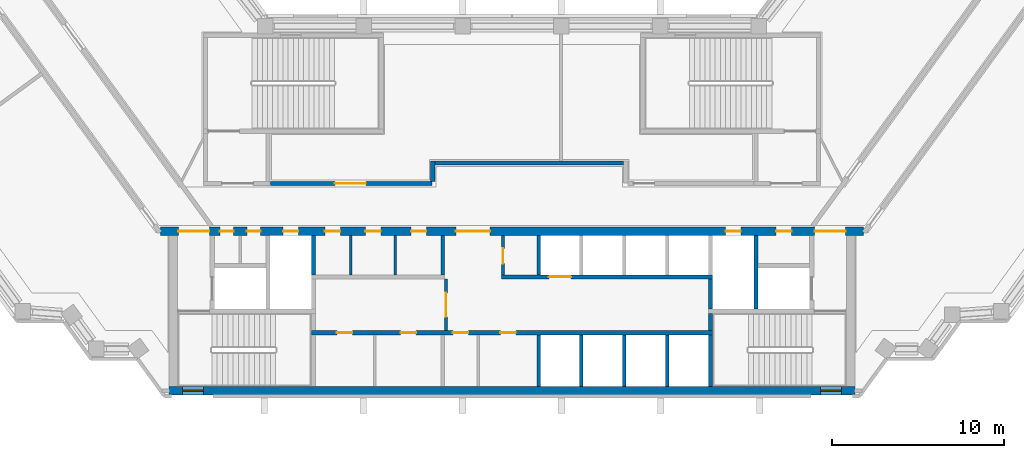
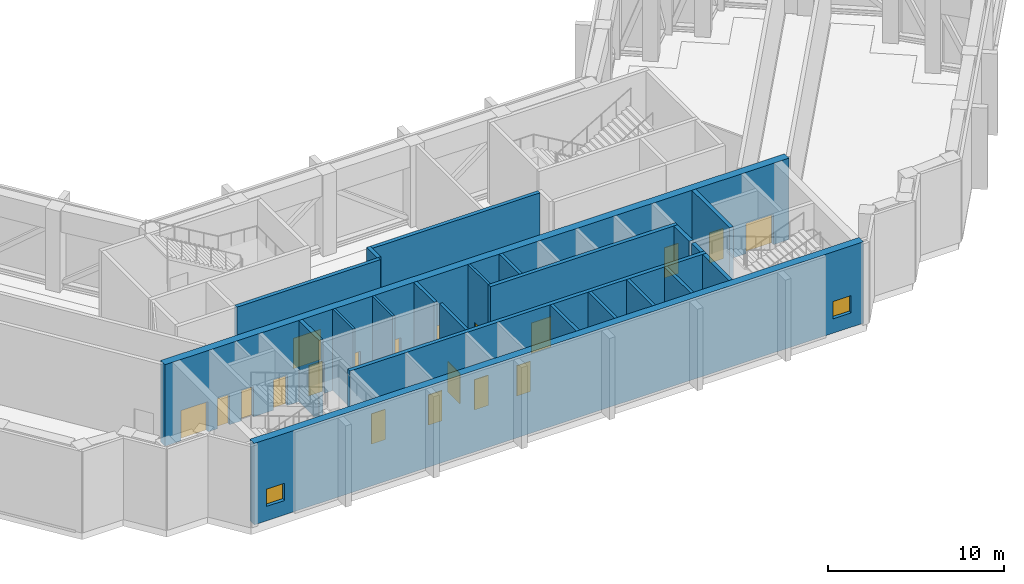
# One storey, part 10 of 16: 22 walls, 19 doors, 2 windows, 21 openings.
"""IFC4 building model written with IfcOpenShell, lengths in metres."""

from ifc_helpers import new_model, si_unit, direction, frame, frame_2d, origin, place, context, subcontext, project, spatial, rectangle, extrude, material, layer, layer_set, type_object, element, fill, save


model = new_model("IFC4")

# Units and contexts
model_context = context("Model", 3, precision=1e-05, world=origin(), true_north=direction((0.0, 1.0)))
body_context = subcontext(model_context, "Body", "Model", "MODEL_VIEW")
ifc_project = project(units=[si_unit("LENGTHUNIT", "METRE"), si_unit("AREAUNIT", "SQUARE_METRE"), si_unit("VOLUMEUNIT", "CUBIC_METRE"), si_unit("PLANEANGLEUNIT", "RADIAN"), si_unit("MASSUNIT", "GRAM", prefix="KILO")], contexts=[model_context])

# Site, building, storey
site_placement = place(None, origin())
site = spatial("IfcSite", under=ifc_project, at=site_placement, CompositionType="ELEMENT")
building_placement = place(site_placement, origin())
building = spatial("IfcBuilding", under=site, at=building_placement, Name="Quipu Civic Tower", CompositionType="ELEMENT")
storey_placement = place(building_placement, frame((0.0, 0.0, 188.0)))
storey = spatial("IfcBuildingStorey", under=building, at=storey_placement, Name="L44", CompositionType="ELEMENT", Elevation=188.0)

# Wall
ifc_material_1 = material(Name="Concrete C70/85", Category="concrete")
ifc_layer_1 = layer(ifc_material_1, 0.25)
ifc_layer_set_1 = layer_set([ifc_layer_1], Name="Concrete C70/85")
wall_type_1 = type_object("IfcWallType", Name="Core wall 250", PredefinedType="SHEAR", material=ifc_layer_set_1)
wall_1_placement = place(storey_placement, frame((11.574951171875, -10.5, 0.0), z_axis=(0.0, 0.0, 1.0), x_axis=(0.0, 1.0, 0.0)))
element("IfcWall", 1, at=wall_1_placement, inside=storey, type_object=wall_type_1, Name="Core wall", PredefinedType="SHEAR", context=body_context, shape_type="SweptSolid", body=[
    extrude(rectangle(XDim=3.0, YDim=0.25, at=frame_2d((1.5, 0.0))), origin(), (0.0, 0.0, 1.0), 5.64990234375),
])

# Wall, openings, doors
wall_2_placement = place(storey_placement, frame((11.699951171875, -7.375, 0.0), z_axis=(0.0, 0.0, 1.0), x_axis=(-1.0, 0.0, 0.0)))
wall_2 = element("IfcWall", 2, at=wall_2_placement, inside=storey, type_object=wall_type_1, Name="Core wall", PredefinedType="SHEAR", context=body_context, shape_type="SweptSolid", body=[
    extrude(rectangle(XDim=23.39990234375, YDim=0.25, at=frame_2d((11.699951171875, 0.0))), origin(), (0.0, 0.0, 1.0), 5.64990234375),
])
opening_1_placement = place(wall_2_placement, frame((21.011962890625, 0.0, 0.0)))
opening_1 = element("IfcOpeningElement", 3, at=opening_1_placement, cuts=wall_2, Name="Opening CD-01", PredefinedType="OPENING", context=body_context, shape_type="SweptSolid", body=[
    extrude(rectangle(XDim=0.89990234375, YDim=2.10009765625, at=frame_2d((0.449951171875, 1.050048828125))), frame((0.0, 0.135009765625, 0.0), z_axis=(0.0, -1.0, 0.0), x_axis=(1.0, 0.0, 0.0)), (0.0, 0.0, 1.0), 0.27001953125),
])
opening_2_placement = place(wall_2_placement, frame((17.287109375, 0.0, 0.0)))
opening_2 = element("IfcOpeningElement", 4, at=opening_2_placement, cuts=wall_2, Name="Opening CD-02", PredefinedType="OPENING", context=body_context, shape_type="SweptSolid", body=[
    extrude(rectangle(XDim=0.89990234375, YDim=2.10009765625, at=frame_2d((0.449951171875, 1.050048828125))), frame((0.0, 0.135009765625, 0.0), z_axis=(0.0, -1.0, 0.0), x_axis=(1.0, 0.0, 0.0)), (0.0, 0.0, 1.0), 0.27001953125),
])
opening_3_placement = place(wall_2_placement, frame((14.25, 0.0, 0.0)))
opening_3 = element("IfcOpeningElement", 5, at=opening_3_placement, cuts=wall_2, Name="Opening CD-03", PredefinedType="OPENING", context=body_context, shape_type="SweptSolid", body=[
    extrude(rectangle(XDim=0.89990234375, YDim=2.10009765625, at=frame_2d((0.449951171875, 1.050048828125))), frame((0.0, 0.135009765625, 0.0), z_axis=(0.0, -1.0, 0.0), x_axis=(1.0, 0.0, 0.0)), (0.0, 0.0, 1.0), 0.27001953125),
])
opening_4_placement = place(wall_2_placement, frame((11.47509765625, 0.0, 0.0)))
opening_4 = element("IfcOpeningElement", 6, at=opening_4_placement, cuts=wall_2, Name="Opening CD-04", PredefinedType="OPENING", context=body_context, shape_type="SweptSolid", body=[
    extrude(rectangle(XDim=0.89990234375, YDim=2.10009765625, at=frame_2d((0.449951171875, 1.050048828125))), frame((0.0, 0.135009765625, 0.0), z_axis=(0.0, -1.0, 0.0), x_axis=(1.0, 0.0, 0.0)), (0.0, 0.0, 1.0), 0.27001953125),
])
ifc_material_2 = material(Name="Fire rated steel door", Category="steel")
door_type_1 = type_object("IfcDoorType", Name="Fire door FD60 900 x 2100", OperationType="NOTDEFINED", PredefinedType="DOOR", material=ifc_material_2)
door_1_placement = place(opening_1_placement, origin())
door_1 = element("IfcDoor", 7, at=door_1_placement, inside=storey, type_object=door_type_1, Name="Door", OperationType="SINGLE_SWING_RIGHT", OverallHeight=2.10009765625, OverallWidth=0.89990234375, PredefinedType="DOOR", context=body_context, shape_type="SweptSolid", body=[
    extrude(rectangle(XDim=0.89990234375, YDim=2.10009765625, at=frame_2d((0.449951171875, 1.050048828125))), frame((0.0, 0.02490234375, 0.0), z_axis=(0.0, -1.0, 0.0), x_axis=(1.0, 0.0, 0.0)), (0.0, 0.0, 1.0), 0.050048828125),
])
fill(opening_1, door_1)
door_2_placement = place(opening_2_placement, origin())
door_2 = element("IfcDoor", 8, at=door_2_placement, inside=storey, type_object=door_type_1, Name="Door", OperationType="SINGLE_SWING_RIGHT", OverallHeight=2.10009765625, OverallWidth=0.89990234375, PredefinedType="DOOR", context=body_context, shape_type="SweptSolid", body=[
    extrude(rectangle(XDim=0.89990234375, YDim=2.10009765625, at=frame_2d((0.449951171875, 1.050048828125))), frame((0.0, 0.02490234375, 0.0), z_axis=(0.0, -1.0, 0.0), x_axis=(1.0, 0.0, 0.0)), (0.0, 0.0, 1.0), 0.050048828125),
])
fill(opening_2, door_2)
door_3_placement = place(opening_3_placement, origin())
door_3 = element("IfcDoor", 9, at=door_3_placement, inside=storey, type_object=door_type_1, Name="Plant door", OperationType="SINGLE_SWING_RIGHT", OverallHeight=2.10009765625, OverallWidth=0.89990234375, PredefinedType="DOOR", context=body_context, shape_type="SweptSolid", body=[
    extrude(rectangle(XDim=0.89990234375, YDim=2.10009765625, at=frame_2d((0.449951171875, 1.050048828125))), frame((0.0, 0.02490234375, 0.0), z_axis=(0.0, -1.0, 0.0), x_axis=(1.0, 0.0, 0.0)), (0.0, 0.0, 1.0), 0.050048828125),
])
fill(opening_3, door_3)
door_4_placement = place(opening_4_placement, origin())
door_4 = element("IfcDoor", 10, at=door_4_placement, inside=storey, type_object=door_type_1, Name="Plant door", OperationType="SINGLE_SWING_RIGHT", OverallHeight=2.10009765625, OverallWidth=0.89990234375, PredefinedType="DOOR", context=body_context, shape_type="SweptSolid", body=[
    extrude(rectangle(XDim=0.89990234375, YDim=2.10009765625, at=frame_2d((0.449951171875, 1.050048828125))), frame((0.0, 0.02490234375, 0.0), z_axis=(0.0, -1.0, 0.0), x_axis=(1.0, 0.0, 0.0)), (0.0, 0.0, 1.0), 0.050048828125),
])
fill(opening_4, door_4)

# Walls
wall_3_placement = place(storey_placement, frame((11.574951171875, -7.25, 0.0), z_axis=(0.0, 0.0, 1.0), x_axis=(0.0, 1.0, 0.0)))
element("IfcWall", 11, at=wall_3_placement, inside=storey, type_object=wall_type_1, Name="Core wall", PredefinedType="SHEAR", context=body_context, shape_type="SweptSolid", body=[
    extrude(rectangle(XDim=1.0, YDim=0.25, at=frame_2d((0.5, 0.0))), origin(), (0.0, 0.0, 1.0), 5.64990234375),
])
wall_4_placement = place(storey_placement, frame((11.574951171875, -6.0, 0.0), z_axis=(0.0, 0.0, 1.0), x_axis=(0.0, 1.0, 0.0)))
element("IfcWall", 12, at=wall_4_placement, inside=storey, type_object=wall_type_1, Name="Core wall", PredefinedType="SHEAR", context=body_context, shape_type="SweptSolid", body=[
    extrude(rectangle(XDim=1.75, YDim=0.25, at=frame_2d((0.875, 0.0))), origin(), (0.0, 0.0, 1.0), 5.64990234375),
])
wall_5_placement = place(storey_placement, frame((14.22509765625, -6.0, 0.0), z_axis=(0.0, 0.0, 1.0), x_axis=(0.0, 1.0, 0.0)))
element("IfcWall", 13, at=wall_5_placement, inside=storey, type_object=wall_type_1, Name="Core wall", PredefinedType="SHEAR", context=body_context, shape_type="SweptSolid", body=[
    extrude(rectangle(XDim=4.300048828125, YDim=0.25, at=frame_2d((2.14990234375, 0.0))), origin(), (0.0, 0.0, 1.0), 5.64990234375),
])

# Wall, opening, door
wall_6_placement = place(storey_placement, frame((-0.60009765625, -4.125, 0.0), z_axis=(0.0, 0.0, 1.0), x_axis=(1.0, 0.0, 0.0)))
wall_6 = element("IfcWall", 14, at=wall_6_placement, inside=storey, type_object=wall_type_1, Name="Core wall", PredefinedType="SHEAR", context=body_context, shape_type="SweptSolid", body=[
    extrude(rectangle(XDim=12.300048828125, YDim=0.25, at=frame_2d((6.14990234375, 0.0))), origin(), (0.0, 0.0, 1.0), 5.64990234375),
])
opening_5_placement = place(wall_6_placement, frame((2.75, 0.0, 0.0)))
opening_5 = element("IfcOpeningElement", 15, at=opening_5_placement, cuts=wall_6, Name="Opening LD-FF3", PredefinedType="OPENING", context=body_context, shape_type="SweptSolid", body=[
    extrude(rectangle(XDim=1.300048828125, YDim=2.10009765625, at=frame_2d((0.64990234375, 1.050048828125))), frame((0.0, 0.135009765625, 0.0), z_axis=(0.0, -1.0, 0.0), x_axis=(1.0, 0.0, 0.0)), (0.0, 0.0, 1.0), 0.27001953125),
])
ifc_material_3 = material(Name="Stainless steel", Category="steel")
door_type_2 = type_object("IfcDoorType", Name="Lift landing door 1300 x 2100", OperationType="DOUBLE_DOOR_SLIDING", PredefinedType="DOOR", material=ifc_material_3)
door_5_placement = place(opening_5_placement, origin())
door_5 = element("IfcDoor", 16, at=door_5_placement, inside=storey, type_object=door_type_2, Name="Landing door FF3", OperationType="DOUBLE_DOOR_SLIDING", OverallHeight=2.10009765625, OverallWidth=1.300048828125, PredefinedType="DOOR", context=body_context, shape_type="SweptSolid", body=[
    extrude(rectangle(XDim=1.300048828125, YDim=2.10009765625, at=frame_2d((0.64990234375, 1.050048828125))), frame((0.0, 0.02490234375, 0.0), z_axis=(0.0, -1.0, 0.0), x_axis=(1.0, 0.0, 0.0)), (0.0, 0.0, 1.0), 0.050048828125),
])
fill(opening_5, door_5)

# Wall
wall_7_placement = place(storey_placement, frame((-11.574951171875, -4.0, 0.0), z_axis=(0.0, 0.0, 1.0), x_axis=(0.0, 1.0, 0.0)))
element("IfcWall", 17, at=wall_7_placement, inside=storey, type_object=wall_type_1, Name="Core wall", PredefinedType="SHEAR", context=body_context, shape_type="SweptSolid", body=[
    extrude(rectangle(XDim=2.300048828125, YDim=0.25, at=frame_2d((1.14990234375, 0.0))), origin(), (0.0, 0.0, 1.0), 5.64990234375),
])

# Wall, openings, windows
ifc_material_4 = material(Name="Concrete C70/85", Category="concrete")
ifc_layer_2 = layer(ifc_material_4, 0.5)
ifc_layer_set_2 = layer_set([ifc_layer_2], Name="Concrete C70/85")
wall_type_2 = type_object("IfcWallType", Name="Core wall 500", PredefinedType="SHEAR", material=ifc_layer_set_2)
wall_8_placement = place(storey_placement, frame((-20.0, -10.75, 0.0), z_axis=(0.0, 0.0, 1.0), x_axis=(1.0, 0.0, 0.0)))
wall_8 = element("IfcWall", 18, at=wall_8_placement, inside=storey, type_object=wall_type_2, Name="Core wall", PredefinedType="SHEAR", context=body_context, shape_type="SweptSolid", body=[
    extrude(rectangle(XDim=40.0, YDim=0.5, at=frame_2d((20.0, 0.0))), origin(), (0.0, 0.0, 1.0), 5.64990234375),
])
opening_6_placement = place(wall_8_placement, frame((0.800048828125, 0.0, 1.0)))
opening_6 = element("IfcOpeningElement", 19, at=opening_6_placement, cuts=wall_8, Name="Opening SV-1", PredefinedType="OPENING", context=body_context, shape_type="SweptSolid", body=[
    extrude(rectangle(XDim=1.199951171875, YDim=1.199951171875, at=frame_2d((0.60009765625, 0.60009765625))), frame((0.0, 0.260009765625, 0.0), z_axis=(0.0, -1.0, 0.0), x_axis=(1.0, 0.0, 0.0)), (0.0, 0.0, 1.0), 0.52001953125),
])
opening_7_placement = place(wall_8_placement, frame((38.0, 0.0, 1.0)))
opening_7 = element("IfcOpeningElement", 20, at=opening_7_placement, cuts=wall_8, Name="Opening SV-2", PredefinedType="OPENING", context=body_context, shape_type="SweptSolid", body=[
    extrude(rectangle(XDim=1.199951171875, YDim=1.199951171875, at=frame_2d((0.60009765625, 0.60009765625))), frame((0.0, 0.260009765625, 0.0), z_axis=(0.0, -1.0, 0.0), x_axis=(1.0, 0.0, 0.0)), (0.0, 0.0, 1.0), 0.52001953125),
])
ifc_material_5 = material(Name="Aluminium louvre", Category="aluminium")
window_type = type_object("IfcWindowType", Name="Stair ventilation louvre 1200 x 1200", PartitioningType="SINGLE_PANEL", PredefinedType="WINDOW", material=ifc_material_5)
window_1_placement = place(opening_6_placement, origin())
window_1 = element("IfcWindow", 21, at=window_1_placement, inside=storey, type_object=window_type, Name="Stair ventilation opening", OverallHeight=1.199951171875, OverallWidth=1.199951171875, PartitioningType="SINGLE_PANEL", PredefinedType="WINDOW", context=body_context, shape_type="SweptSolid", body=[
    extrude(rectangle(XDim=1.199951171875, YDim=1.199951171875, at=frame_2d((0.60009765625, 0.60009765625))), frame((0.0, 0.030029296875, 0.0), z_axis=(0.0, -1.0, 0.0), x_axis=(1.0, 0.0, 0.0)), (0.0, 0.0, 1.0), 0.06005859375),
])
fill(opening_6, window_1)
window_2_placement = place(opening_7_placement, origin())
window_2 = element("IfcWindow", 22, at=window_2_placement, inside=storey, type_object=window_type, Name="Stair ventilation opening", OverallHeight=1.199951171875, OverallWidth=1.199951171875, PartitioningType="SINGLE_PANEL", PredefinedType="WINDOW", context=body_context, shape_type="SweptSolid", body=[
    extrude(rectangle(XDim=1.199951171875, YDim=1.199951171875, at=frame_2d((0.60009765625, 0.60009765625))), frame((0.0, 0.030029296875, 0.0), z_axis=(0.0, -1.0, 0.0), x_axis=(1.0, 0.0, 0.0)), (0.0, 0.0, 1.0), 0.06005859375),
])
fill(opening_7, window_2)

# Wall, openings, doors
wall_9_placement = place(storey_placement, frame((20.489990234375, -1.449951171875, 0.0), z_axis=(0.0, 0.0, 1.0), x_axis=(-1.0, 0.0, 0.0)))
wall_9 = element("IfcWall", 23, at=wall_9_placement, inside=storey, type_object=wall_type_2, Name="Core wall", PredefinedType="SHEAR", context=body_context, shape_type="SweptSolid", body=[
    extrude(rectangle(XDim=40.97998046875, YDim=0.5, at=frame_2d((20.489990234375, 0.0))), origin(), (0.0, 0.0, 1.0), 5.64990234375),
])
opening_8_placement = place(wall_9_placement, frame((38.139892578125, 0.0, 0.0)))
opening_8 = element("IfcOpeningElement", 24, at=opening_8_placement, cuts=wall_9, Name="Opening CD-09", PredefinedType="OPENING", context=body_context, shape_type="SweptSolid", body=[
    extrude(rectangle(XDim=1.800048828125, YDim=2.10009765625, at=frame_2d((0.89990234375, 1.050048828125))), frame((0.0, 0.260009765625, 0.0), z_axis=(0.0, -1.0, 0.0), x_axis=(1.0, 0.0, 0.0)), (0.0, 0.0, 1.0), 0.52001953125),
])
opening_9_placement = place(wall_9_placement, frame((36.7275390625, 0.0, 0.0)))
opening_9 = element("IfcOpeningElement", 25, at=opening_9_placement, cuts=wall_9, Name="Opening CD-10", PredefinedType="OPENING", context=body_context, shape_type="SweptSolid", body=[
    extrude(rectangle(XDim=0.800048828125, YDim=2.10009765625, at=frame_2d((0.39990234375, 1.050048828125))), frame((0.0, 0.260009765625, 0.0), z_axis=(0.0, -1.0, 0.0), x_axis=(1.0, 0.0, 0.0)), (0.0, 0.0, 1.0), 0.52001953125),
])
opening_10_placement = place(wall_9_placement, frame((35.152587890625, 0.0, 0.0)))
opening_10 = element("IfcOpeningElement", 26, at=opening_10_placement, cuts=wall_9, Name="Opening CD-11", PredefinedType="OPENING", context=body_context, shape_type="SweptSolid", body=[
    extrude(rectangle(XDim=0.800048828125, YDim=2.10009765625, at=frame_2d((0.39990234375, 1.050048828125))), frame((0.0, 0.260009765625, 0.0), z_axis=(0.0, -1.0, 0.0), x_axis=(1.0, 0.0, 0.0)), (0.0, 0.0, 1.0), 0.52001953125),
])
opening_11_placement = place(wall_9_placement, frame((32.93994140625, 0.0, 0.0)))
opening_11 = element("IfcOpeningElement", 27, at=opening_11_placement, cuts=wall_9, Name="Opening CD-12", PredefinedType="OPENING", context=body_context, shape_type="SweptSolid", body=[
    extrude(rectangle(XDim=0.89990234375, YDim=2.10009765625, at=frame_2d((0.449951171875, 1.050048828125))), frame((0.0, 0.260009765625, 0.0), z_axis=(0.0, -1.0, 0.0), x_axis=(1.0, 0.0, 0.0)), (0.0, 0.0, 1.0), 0.52001953125),
])
opening_12_placement = place(wall_9_placement, frame((30.50244140625, 0.0, 0.0)))
opening_12 = element("IfcOpeningElement", 28, at=opening_12_placement, cuts=wall_9, Name="Opening CD-13", PredefinedType="OPENING", context=body_context, shape_type="SweptSolid", body=[
    extrude(rectangle(XDim=0.89990234375, YDim=2.10009765625, at=frame_2d((0.449951171875, 1.050048828125))), frame((0.0, 0.260009765625, 0.0), z_axis=(0.0, -1.0, 0.0), x_axis=(1.0, 0.0, 0.0)), (0.0, 0.0, 1.0), 0.52001953125),
])
opening_13_placement = place(wall_9_placement, frame((28.139892578125, 0.0, 0.0)))
opening_13 = element("IfcOpeningElement", 29, at=opening_13_placement, cuts=wall_9, Name="Opening CD-14", PredefinedType="OPENING", context=body_context, shape_type="SweptSolid", body=[
    extrude(rectangle(XDim=0.89990234375, YDim=2.10009765625, at=frame_2d((0.449951171875, 1.050048828125))), frame((0.0, 0.260009765625, 0.0), z_axis=(0.0, -1.0, 0.0), x_axis=(1.0, 0.0, 0.0)), (0.0, 0.0, 1.0), 0.52001953125),
])
opening_14_placement = place(wall_9_placement, frame((25.4775390625, 0.0, 0.0)))
opening_14 = element("IfcOpeningElement", 30, at=opening_14_placement, cuts=wall_9, Name="Opening CD-15", PredefinedType="OPENING", context=body_context, shape_type="SweptSolid", body=[
    extrude(rectangle(XDim=0.89990234375, YDim=2.10009765625, at=frame_2d((0.449951171875, 1.050048828125))), frame((0.0, 0.260009765625, 0.0), z_axis=(0.0, -1.0, 0.0), x_axis=(1.0, 0.0, 0.0)), (0.0, 0.0, 1.0), 0.52001953125),
])
opening_15_placement = place(wall_9_placement, frame((21.764892578125, 0.0, 0.0)))
opening_15 = element("IfcOpeningElement", 31, at=opening_15_placement, cuts=wall_9, Name="Opening CD-16", PredefinedType="OPENING", context=body_context, shape_type="SweptSolid", body=[
    extrude(rectangle(XDim=2.0, YDim=2.10009765625, at=frame_2d((1.0, 1.050048828125))), frame((0.0, 0.260009765625, 0.0), z_axis=(0.0, -1.0, 0.0), x_axis=(1.0, 0.0, 0.0)), (0.0, 0.0, 1.0), 0.52001953125),
])
opening_16_placement = place(wall_9_placement, frame((7.139892578125, 0.0, 0.0)))
opening_16 = element("IfcOpeningElement", 32, at=opening_16_placement, cuts=wall_9, Name="Opening CD-17", PredefinedType="OPENING", context=body_context, shape_type="SweptSolid", body=[
    extrude(rectangle(XDim=0.89990234375, YDim=2.10009765625, at=frame_2d((0.449951171875, 1.050048828125))), frame((0.0, 0.260009765625, 0.0), z_axis=(0.0, -1.0, 0.0), x_axis=(1.0, 0.0, 0.0)), (0.0, 0.0, 1.0), 0.52001953125),
])
opening_17_placement = place(wall_9_placement, frame((4.18994140625, 0.0, 0.0)))
opening_17 = element("IfcOpeningElement", 33, at=opening_17_placement, cuts=wall_9, Name="Opening CD-18", PredefinedType="OPENING", context=body_context, shape_type="SweptSolid", body=[
    extrude(rectangle(XDim=0.89990234375, YDim=2.10009765625, at=frame_2d((0.449951171875, 1.050048828125))), frame((0.0, 0.260009765625, 0.0), z_axis=(0.0, -1.0, 0.0), x_axis=(1.0, 0.0, 0.0)), (0.0, 0.0, 1.0), 0.52001953125),
])
opening_18_placement = place(wall_9_placement, frame((1.0400390625, 0.0, 0.0)))
opening_18 = element("IfcOpeningElement", 34, at=opening_18_placement, cuts=wall_9, Name="Opening CD-19", PredefinedType="OPENING", context=body_context, shape_type="SweptSolid", body=[
    extrude(rectangle(XDim=1.800048828125, YDim=2.10009765625, at=frame_2d((0.89990234375, 1.050048828125))), frame((0.0, 0.260009765625, 0.0), z_axis=(0.0, -1.0, 0.0), x_axis=(1.0, 0.0, 0.0)), (0.0, 0.0, 1.0), 0.52001953125),
])
ifc_material_6 = material(Name="Fire rated steel door", Category="steel")
door_type_3 = type_object("IfcDoorType", Name="Fire door FD60 800 x 2100", OperationType="NOTDEFINED", PredefinedType="DOOR", material=ifc_material_6)
door_6_placement = place(opening_9_placement, origin())
door_6 = element("IfcDoor", 35, at=door_6_placement, inside=storey, type_object=door_type_3, Name="Door", OperationType="SINGLE_SWING_RIGHT", OverallHeight=2.10009765625, OverallWidth=0.800048828125, PredefinedType="DOOR", context=body_context, shape_type="SweptSolid", body=[
    extrude(rectangle(XDim=0.800048828125, YDim=2.10009765625, at=frame_2d((0.39990234375, 1.050048828125))), frame((0.0, 0.02490234375, 0.0), z_axis=(0.0, -1.0, 0.0), x_axis=(1.0, 0.0, 0.0)), (0.0, 0.0, 1.0), 0.050048828125),
])
fill(opening_9, door_6)
door_7_placement = place(opening_10_placement, origin())
door_7 = element("IfcDoor", 36, at=door_7_placement, inside=storey, type_object=door_type_3, Name="Door", OperationType="SINGLE_SWING_RIGHT", OverallHeight=2.10009765625, OverallWidth=0.800048828125, PredefinedType="DOOR", context=body_context, shape_type="SweptSolid", body=[
    extrude(rectangle(XDim=0.800048828125, YDim=2.10009765625, at=frame_2d((0.39990234375, 1.050048828125))), frame((0.0, 0.02490234375, 0.0), z_axis=(0.0, -1.0, 0.0), x_axis=(1.0, 0.0, 0.0)), (0.0, 0.0, 1.0), 0.050048828125),
])
fill(opening_10, door_7)
door_8_placement = place(opening_11_placement, origin())
door_8 = element("IfcDoor", 37, at=door_8_placement, inside=storey, type_object=door_type_1, Name="Riser door", OperationType="SINGLE_SWING_RIGHT", OverallHeight=2.10009765625, OverallWidth=0.89990234375, PredefinedType="DOOR", context=body_context, shape_type="SweptSolid", body=[
    extrude(rectangle(XDim=0.89990234375, YDim=2.10009765625, at=frame_2d((0.449951171875, 1.050048828125))), frame((0.0, 0.02490234375, 0.0), z_axis=(0.0, -1.0, 0.0), x_axis=(1.0, 0.0, 0.0)), (0.0, 0.0, 1.0), 0.050048828125),
])
fill(opening_11, door_8)
door_9_placement = place(opening_12_placement, origin())
door_9 = element("IfcDoor", 38, at=door_9_placement, inside=storey, type_object=door_type_1, Name="Door", OperationType="SINGLE_SWING_RIGHT", OverallHeight=2.10009765625, OverallWidth=0.89990234375, PredefinedType="DOOR", context=body_context, shape_type="SweptSolid", body=[
    extrude(rectangle(XDim=0.89990234375, YDim=2.10009765625, at=frame_2d((0.449951171875, 1.050048828125))), frame((0.0, 0.02490234375, 0.0), z_axis=(0.0, -1.0, 0.0), x_axis=(1.0, 0.0, 0.0)), (0.0, 0.0, 1.0), 0.050048828125),
])
fill(opening_12, door_9)
door_10_placement = place(opening_13_placement, origin())
door_10 = element("IfcDoor", 39, at=door_10_placement, inside=storey, type_object=door_type_1, Name="Door", OperationType="SINGLE_SWING_RIGHT", OverallHeight=2.10009765625, OverallWidth=0.89990234375, PredefinedType="DOOR", context=body_context, shape_type="SweptSolid", body=[
    extrude(rectangle(XDim=0.89990234375, YDim=2.10009765625, at=frame_2d((0.449951171875, 1.050048828125))), frame((0.0, 0.02490234375, 0.0), z_axis=(0.0, -1.0, 0.0), x_axis=(1.0, 0.0, 0.0)), (0.0, 0.0, 1.0), 0.050048828125),
])
fill(opening_13, door_10)
door_11_placement = place(opening_14_placement, origin())
door_11 = element("IfcDoor", 40, at=door_11_placement, inside=storey, type_object=door_type_1, Name="Door", OperationType="SINGLE_SWING_RIGHT", OverallHeight=2.10009765625, OverallWidth=0.89990234375, PredefinedType="DOOR", context=body_context, shape_type="SweptSolid", body=[
    extrude(rectangle(XDim=0.89990234375, YDim=2.10009765625, at=frame_2d((0.449951171875, 1.050048828125))), frame((0.0, 0.02490234375, 0.0), z_axis=(0.0, -1.0, 0.0), x_axis=(1.0, 0.0, 0.0)), (0.0, 0.0, 1.0), 0.050048828125),
])
fill(opening_14, door_11)
door_12_placement = place(opening_16_placement, origin())
door_12 = element("IfcDoor", 41, at=door_12_placement, inside=storey, type_object=door_type_1, Name="Riser door", OperationType="SINGLE_SWING_LEFT", OverallHeight=2.10009765625, OverallWidth=0.89990234375, PredefinedType="DOOR", context=body_context, shape_type="SweptSolid", body=[
    extrude(rectangle(XDim=0.89990234375, YDim=2.10009765625, at=frame_2d((0.449951171875, 1.050048828125))), frame((0.0, 0.02490234375, 0.0), z_axis=(0.0, -1.0, 0.0), x_axis=(1.0, 0.0, 0.0)), (0.0, 0.0, 1.0), 0.050048828125),
])
fill(opening_16, door_12)
door_13_placement = place(opening_17_placement, origin())
door_13 = element("IfcDoor", 42, at=door_13_placement, inside=storey, type_object=door_type_1, Name="Door", OperationType="SINGLE_SWING_LEFT", OverallHeight=2.10009765625, OverallWidth=0.89990234375, PredefinedType="DOOR", context=body_context, shape_type="SweptSolid", body=[
    extrude(rectangle(XDim=0.89990234375, YDim=2.10009765625, at=frame_2d((0.449951171875, 1.050048828125))), frame((0.0, 0.02490234375, 0.0), z_axis=(0.0, -1.0, 0.0), x_axis=(1.0, 0.0, 0.0)), (0.0, 0.0, 1.0), 0.050048828125),
])
fill(opening_17, door_13)
ifc_material_7 = material(Name="Fire rated steel door", Category="steel")
door_type_4 = type_object("IfcDoorType", Name="Fire door FD90 double 1800 x 2100", OperationType="NOTDEFINED", PredefinedType="DOOR", material=ifc_material_7)
door_14_placement = place(opening_8_placement, origin())
door_14 = element("IfcDoor", 43, at=door_14_placement, inside=storey, type_object=door_type_4, Name="Lobby door", OperationType="DOUBLE_DOOR_SINGLE_SWING", OverallHeight=2.10009765625, OverallWidth=1.800048828125, PredefinedType="DOOR", context=body_context, shape_type="SweptSolid", body=[
    extrude(rectangle(XDim=1.800048828125, YDim=2.10009765625, at=frame_2d((0.89990234375, 1.050048828125))), frame((0.0, 0.02490234375, 0.0), z_axis=(0.0, -1.0, 0.0), x_axis=(1.0, 0.0, 0.0)), (0.0, 0.0, 1.0), 0.050048828125),
])
fill(opening_8, door_14)
door_15_placement = place(opening_18_placement, origin())
door_15 = element("IfcDoor", 44, at=door_15_placement, inside=storey, type_object=door_type_4, Name="Lobby door", OperationType="DOUBLE_DOOR_SINGLE_SWING", OverallHeight=2.10009765625, OverallWidth=1.800048828125, PredefinedType="DOOR", context=body_context, shape_type="SweptSolid", body=[
    extrude(rectangle(XDim=1.800048828125, YDim=2.10009765625, at=frame_2d((0.89990234375, 1.050048828125))), frame((0.0, 0.02490234375, 0.0), z_axis=(0.0, -1.0, 0.0), x_axis=(1.0, 0.0, 0.0)), (0.0, 0.0, 1.0), 0.050048828125),
])
fill(opening_18, door_15)
ifc_material_8 = material(Name="Fire rated steel door", Category="steel")
door_type_5 = type_object("IfcDoorType", Name="Fire door FD90 double 2000 x 2100", OperationType="NOTDEFINED", PredefinedType="DOOR", material=ifc_material_8)
door_16_placement = place(opening_15_placement, origin())
door_16 = element("IfcDoor", 45, at=door_16_placement, inside=storey, type_object=door_type_5, Name="Lobby door", OperationType="DOUBLE_DOOR_SINGLE_SWING", OverallHeight=2.10009765625, OverallWidth=2.0, PredefinedType="DOOR", context=body_context, shape_type="SweptSolid", body=[
    extrude(rectangle(XDim=2.0, YDim=2.10009765625, at=frame_2d((1.0, 1.050048828125))), frame((0.0, 0.02490234375, 0.0), z_axis=(0.0, -1.0, 0.0), x_axis=(1.0, 0.0, 0.0)), (0.0, 0.0, 1.0), 0.050048828125),
])
fill(opening_15, door_16)

# Wall, opening, door
ifc_material_9 = material(Name="Concrete C50/60", Category="concrete")
ifc_layer_3 = layer(ifc_material_9, 0.25)
ifc_layer_set_3 = layer_set([ifc_layer_3], Name="Concrete C50/60")
wall_type_3 = type_object("IfcWallType", Name="Corridor wall 250 concrete", PredefinedType="SOLIDWALL", material=ifc_layer_set_3)
wall_10_placement = place(storey_placement, frame((-14.090087890625, 1.324951171875, 0.0), z_axis=(0.0, 0.0, 1.0), x_axis=(1.0, 0.0, 0.0)))
wall_10 = element("IfcWall", 46, at=wall_10_placement, inside=storey, type_object=wall_type_3, Name="Corridor wall C09", PredefinedType="SOLIDWALL", context=body_context, shape_type="SweptSolid", body=[
    extrude(rectangle(XDim=9.431396484375, YDim=0.25, at=frame_2d((4.7158203125, 0.0))), origin(), (0.0, 0.0, 1.0), 5.64990234375),
])
opening_19_placement = place(wall_10_placement, frame((3.764892578125, 0.0, 0.0)))
opening_19 = element("IfcOpeningElement", 47, at=opening_19_placement, cuts=wall_10, Name="Opening D003", PredefinedType="OPENING", context=body_context, shape_type="SweptSolid", body=[
    extrude(rectangle(XDim=1.800048828125, YDim=2.10009765625, at=frame_2d((0.89990234375, 1.050048828125))), frame((0.0, 0.135009765625, 0.0), z_axis=(0.0, -1.0, 0.0), x_axis=(1.0, 0.0, 0.0)), (0.0, 0.0, 1.0), 0.27001953125),
])
ifc_material_10 = material(Name="Fire rated timber door set with metal frame", Category="wood")
door_type_6 = type_object("IfcDoorType", Name="Double door 1800 x 2100 FD60", OperationType="DOUBLE_DOOR_SINGLE_SWING", PredefinedType="DOOR", material=ifc_material_10)
door_17_placement = place(opening_19_placement, origin())
door_17 = element("IfcDoor", 48, at=door_17_placement, inside=storey, type_object=door_type_6, Name="Door D003", OperationType="DOUBLE_DOOR_SINGLE_SWING", OverallHeight=2.10009765625, OverallWidth=1.800048828125, PredefinedType="DOOR", context=body_context, shape_type="SweptSolid", body=[
    extrude(rectangle(XDim=1.800048828125, YDim=2.10009765625, at=frame_2d((0.89990234375, 1.050048828125))), frame((0.0, 0.02490234375, 0.0), z_axis=(0.0, -1.0, 0.0), x_axis=(1.0, 0.0, 0.0)), (0.0, 0.0, 1.0), 0.050048828125),
])
fill(opening_19, door_17)

# Walls
wall_11_placement = place(storey_placement, frame((-4.625, 1.45361328125, 0.0), z_axis=(0.0, 0.0, 1.0), x_axis=(0.0, 1.0, 0.0)))
element("IfcWall", 49, at=wall_11_placement, inside=storey, type_object=wall_type_3, Name="Corridor wall C10", PredefinedType="SOLIDWALL", context=body_context, shape_type="SweptSolid", body=[
    extrude(rectangle(XDim=1.1962890625, YDim=0.25, at=frame_2d((0.59814453125, 0.0))), origin(), (0.0, 0.0, 1.0), 5.64990234375),
])
wall_12_placement = place(storey_placement, frame((-4.5, 2.52490234375, 0.0), z_axis=(0.0, 0.0, 1.0), x_axis=(1.0, 0.0, 0.0)))
element("IfcWall", 50, at=wall_12_placement, inside=storey, type_object=wall_type_3, Name="Corridor wall C11", PredefinedType="SOLIDWALL", context=body_context, shape_type="SweptSolid", body=[
    extrude(rectangle(XDim=11.0, YDim=0.25, at=frame_2d((5.5, 0.0))), origin(), (0.0, 0.0, 1.0), 5.64990234375),
])
ifc_material_11 = material(Name="Gypsum board partition")
ifc_layer_4 = layer(ifc_material_11, 0.14990234375)
ifc_layer_set_4 = layer_set([ifc_layer_4], Name="Gypsum board partition")
wall_type_4 = type_object("IfcWallType", Name="Partition 150", PredefinedType="PARTITIONING", material=ifc_layer_set_4)
for number, where, z_axis, x_axis, name in (
    (51, (-9.39990234375, -4.0, 0.0), (0.0, 0.0, 1.0), (0.0, 1.0, 0.0), "Partition"),
    (52, (-6.800048828125, -4.0, 0.0), (0.0, 0.0, 1.0), (0.0, 1.0, 0.0), "Partition"),
):
    element("IfcWall", number, at=place(storey_placement, frame(where, z_axis=z_axis, x_axis=x_axis)), inside=storey, type_object=wall_type_4, Name=name, PredefinedType="PARTITIONING", context=body_context, shape_type="SweptSolid", body=[
        extrude(rectangle(XDim=2.300048828125, YDim=0.14990234375, at=frame_2d((1.14990234375, 0.0))), origin(), (0.0, 0.0, 1.0), 5.64990234375),
    ])

# Wall, opening, door
wall_13_placement = place(storey_placement, frame((-0.52490234375, -4.0, 0.0), z_axis=(0.0, 0.0, 1.0), x_axis=(0.0, 1.0, 0.0)))
wall_13 = element("IfcWall", 53, at=wall_13_placement, inside=storey, type_object=wall_type_4, Name="Partition", PredefinedType="PARTITIONING", context=body_context, shape_type="SweptSolid", body=[
    extrude(rectangle(XDim=2.300048828125, YDim=0.14990234375, at=frame_2d((1.14990234375, 0.0))), origin(), (0.0, 0.0, 1.0), 5.64990234375),
])
opening_20_placement = place(wall_13_placement, frame((0.64990234375, 0.0, 0.0)))
opening_20 = element("IfcOpeningElement", 54, at=opening_20_placement, cuts=wall_13, Name="Opening CD-08", PredefinedType="OPENING", context=body_context, shape_type="SweptSolid", body=[
    extrude(rectangle(XDim=0.89990234375, YDim=2.10009765625, at=frame_2d((0.449951171875, 1.050048828125))), frame((0.0, 0.0849609375, 0.0), z_axis=(0.0, -1.0, 0.0), x_axis=(1.0, 0.0, 0.0)), (0.0, 0.0, 1.0), 0.169921875),
])
door_18_placement = place(opening_20_placement, origin())
door_18 = element("IfcDoor", 55, at=door_18_placement, inside=storey, type_object=door_type_1, Name="WC door", OperationType="SINGLE_SWING_LEFT", OverallHeight=2.10009765625, OverallWidth=0.89990234375, PredefinedType="DOOR", context=body_context, shape_type="SweptSolid", body=[
    extrude(rectangle(XDim=0.89990234375, YDim=2.10009765625, at=frame_2d((0.449951171875, 1.050048828125))), frame((0.0, 0.02490234375, 0.0), z_axis=(0.0, -1.0, 0.0), x_axis=(1.0, 0.0, 0.0)), (0.0, 0.0, 1.0), 0.050048828125),
])
fill(opening_20, door_18)

# Walls
ifc_material_12 = material(Name="Concrete C40/50", Category="concrete")
ifc_layer_5 = layer(ifc_material_12, 0.199951171875)
ifc_layer_set_5 = layer_set([ifc_layer_5], Name="Concrete C40/50")
wall_type_5 = type_object("IfcWallType", Name="Shaft wall 200", PredefinedType="SOLIDWALL", material=ifc_layer_set_5)
for number, where, z_axis, x_axis, name in (
    (56, (1.550048828125, -10.5, 0.0), (0.0, 0.0, 1.0), (0.0, 1.0, 0.0), "Shaft wall"),
    (57, (4.050048828125, -10.5, 0.0), (0.0, 0.0, 1.0), (0.0, 1.0, 0.0), "Shaft wall"),
    (58, (6.550048828125, -10.5, 0.0), (0.0, 0.0, 1.0), (0.0, 1.0, 0.0), "Shaft wall"),
    (59, (9.050048828125, -10.5, 0.0), (0.0, 0.0, 1.0), (0.0, 1.0, 0.0), "Shaft wall"),
):
    element("IfcWall", number, at=place(storey_placement, frame(where, z_axis=z_axis, x_axis=x_axis)), inside=storey, type_object=wall_type_5, Name=name, PredefinedType="SOLIDWALL", context=body_context, shape_type="SweptSolid", body=[
        extrude(rectangle(XDim=3.0, YDim=0.199951171875, at=frame_2d((1.5, 0.0))), origin(), (0.0, 0.0, 1.0), 5.64990234375),
    ])

# Wall, opening, door
wall_14_placement = place(storey_placement, frame((-3.85009765625, -4.25, 0.0), z_axis=(0.0, 0.0, 1.0), x_axis=(0.0, -1.0, 0.0)))
wall_14 = element("IfcWall", 60, at=wall_14_placement, inside=storey, type_object=wall_type_5, Name="Shaft wall", PredefinedType="SOLIDWALL", context=body_context, shape_type="SweptSolid", body=[
    extrude(rectangle(XDim=3.0, YDim=0.199951171875, at=frame_2d((1.5, 0.0))), origin(), (0.0, 0.0, 1.0), 5.64990234375),
])
opening_21_placement = place(wall_14_placement, frame((0.800048828125, 0.0, 0.0)))
opening_21 = element("IfcOpeningElement", 61, at=opening_21_placement, cuts=wall_14, Name="Opening CD-07", PredefinedType="OPENING", context=body_context, shape_type="SweptSolid", body=[
    extrude(rectangle(XDim=1.39990234375, YDim=2.10009765625, at=frame_2d((0.699951171875, 1.050048828125))), frame((0.0, 0.10986328125, 0.0), z_axis=(0.0, -1.0, 0.0), x_axis=(1.0, 0.0, 0.0)), (0.0, 0.0, 1.0), 0.219970703125),
])
ifc_material_13 = material(Name="Fire rated steel door", Category="steel")
door_type_7 = type_object("IfcDoorType", Name="Fire door FD60 double 1400 x 2100", OperationType="NOTDEFINED", PredefinedType="DOOR", material=ifc_material_13)
door_19_placement = place(opening_21_placement, origin())
door_19 = element("IfcDoor", 62, at=door_19_placement, inside=storey, type_object=door_type_7, Name="Hall door", OperationType="DOUBLE_DOOR_SINGLE_SWING", OverallHeight=2.10009765625, OverallWidth=1.39990234375, PredefinedType="DOOR", context=body_context, shape_type="SweptSolid", body=[
    extrude(rectangle(XDim=1.39990234375, YDim=2.10009765625, at=frame_2d((0.699951171875, 1.050048828125))), frame((0.0, 0.02490234375, 0.0), z_axis=(0.0, -1.0, 0.0), x_axis=(1.0, 0.0, 0.0)), (0.0, 0.0, 1.0), 0.050048828125),
])
fill(opening_21, door_19)

# Walls
for number, where, z_axis, x_axis, name in (
    (63, (-4.050048828125, -4.0, 0.0), (0.0, 0.0, 1.0), (0.0, 1.0, 0.0), "Shaft wall"),
    (64, (1.550048828125, -4.0, 0.0), (0.0, 0.0, 1.0), (0.0, 1.0, 0.0), "Shaft wall"),
):
    element("IfcWall", number, at=place(storey_placement, frame(where, z_axis=z_axis, x_axis=x_axis)), inside=storey, type_object=wall_type_5, Name=name, PredefinedType="SOLIDWALL", context=body_context, shape_type="SweptSolid", body=[
        extrude(rectangle(XDim=2.300048828125, YDim=0.199951171875, at=frame_2d((1.14990234375, 0.0))), origin(), (0.0, 0.0, 1.0), 5.64990234375),
    ])

save(model, "model.ifc")
